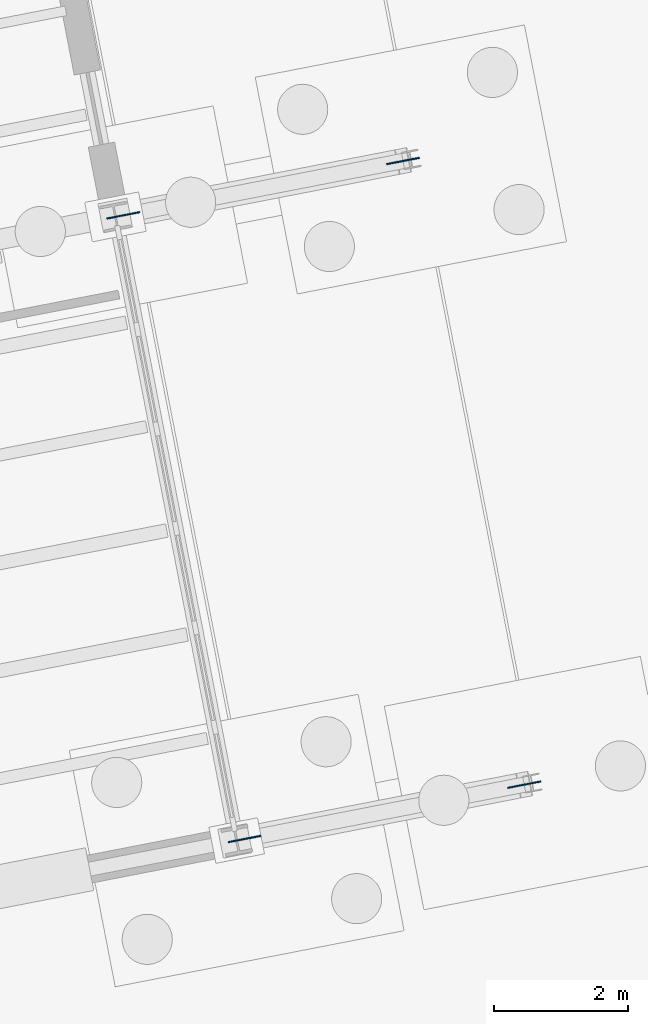
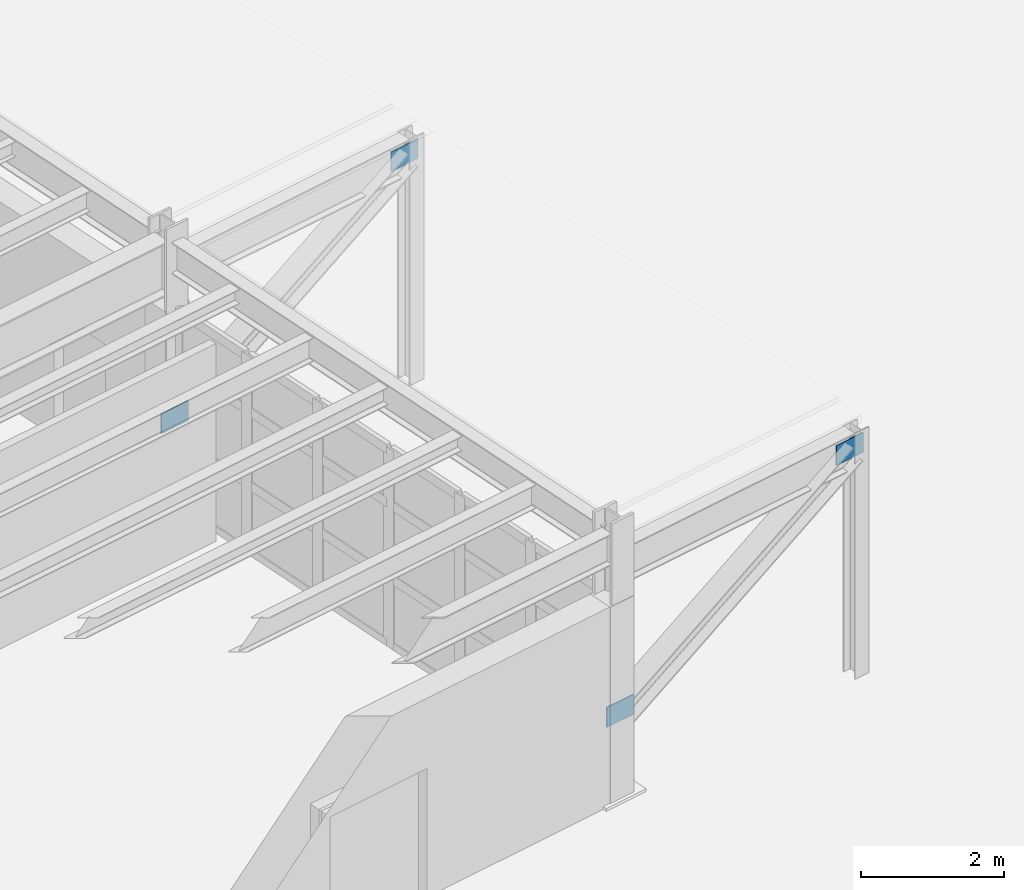
# One storey, part 71 of 108: 4 plates.
"""IFC4 building model written with IfcOpenShell, lengths in metres."""

from ifc_helpers import new_model, si_unit, direction, frame, origin, origin_2d, place, context, subcontext, project, spatial, rectangle, extrude, material, layer, layer_set, type_object, element, save


model = new_model("IFC4")

# Units and contexts
model_context = context("Model", 3, precision=1e-05, world=origin(), true_north=direction((0.0, 1.0)))
body_context = subcontext(model_context, "Body", "Model", "MODEL_VIEW")
ifc_project = project(units=[si_unit("LENGTHUNIT", "METRE"), si_unit("AREAUNIT", "SQUARE_METRE"), si_unit("VOLUMEUNIT", "CUBIC_METRE"), si_unit("PLANEANGLEUNIT", "RADIAN"), si_unit("MASSUNIT", "GRAM", prefix="KILO")], contexts=[model_context])

# Site, building, storey
site_placement = place(None, origin())
site = spatial("IfcSite", under=ifc_project, at=site_placement, CompositionType="ELEMENT")
building_placement = place(site_placement, origin())
building = spatial("IfcBuilding", under=site, at=building_placement, Name="Vireo Bluff Cable Station", CompositionType="ELEMENT")
storey_placement = place(building_placement, origin())
storey = spatial("IfcBuildingStorey", under=building, at=storey_placement, Name="L00", CompositionType="ELEMENT", Elevation=0.0)

# Plates
ifc_material = material(Name="Steel ASTM A572 Gr. 50", Category="steel")
ifc_layer = layer(ifc_material, 0.02001953125, Name="Steel ASTM A572 Gr. 50")
ifc_layer_set = layer_set([ifc_layer], Name="Steel ASTM A572 Gr. 50")
plate_type = type_object("IfcPlateType", Name="GUSSET-500X340X20", PredefinedType="USERDEFINED", material=ifc_layer_set)
for number, where, z_axis, x_axis, name in (
    (1, (53.791015625, 14.109375, 1.18017578125), (0.0, 0.0, 1.0), (0.981627183448, 0.190808995377, 0.0), "Canopy raking strut end plate 1A"),
    (2, (57.97265625, 14.922119140625, 3.7001953125), (0.0, 0.0, 1.0), (0.981627183448, 0.190808995377, 0.0), "Canopy raking strut end plate 1B"),
    (3, (51.978271484375, 23.434814453125, 1.18017578125), (0.0, 0.0, 1.0), (0.981627183448, 0.190808995377, 0.0), "Canopy raking strut end plate 2A"),
    (4, (56.16015625, 24.24755859375, 3.7001953125), (0.0, 0.0, 1.0), (0.981627183448, 0.190808995377, 0.0), "Canopy raking strut end plate 2B"),
):
    element("IfcPlate", number, at=place(storey_placement, frame(where, z_axis=z_axis, x_axis=x_axis)), inside=storey, type_object=plate_type, Name=name, ObjectType="GUSSET PLATE", PredefinedType="USERDEFINED", context=body_context, shape_type="SweptSolid", body=[
        extrude(rectangle(XDim=0.5, YDim=0.02001953125, at=origin_2d()), origin(), (0.0, 0.0, 1.0), 0.340087890625),
    ])

save(model, "model.ifc")
